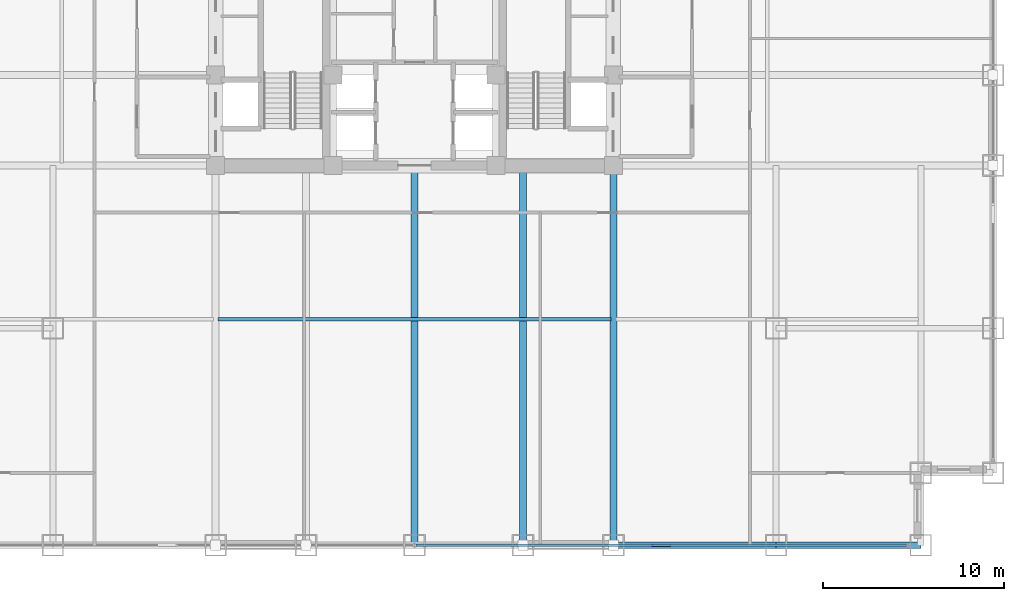
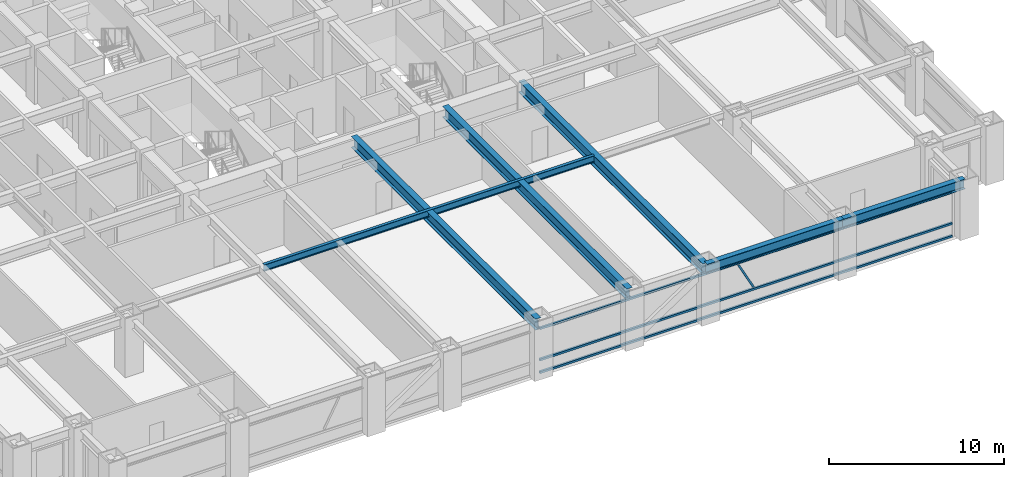
# One storey, part 5 of 27: 6 beams, 4 members, 1 element without a shape of its own.
"""IFC4 building model written with IfcOpenShell, lengths in metres."""

from ifc_helpers import new_model, si_unit, direction, frame, origin, origin_2d, place, context, subcontext, project, spatial, hollow_rectangle, i_section, extrude, source, transform, mapped, material, material_profile, profile_set, type_object, element, aggregate, save


model = new_model("IFC4")

# Units and contexts
model_context = context("Model", 3, precision=1e-05, world=origin(), true_north=direction((0.0, 1.0)))
body_context = subcontext(model_context, "Body", "Model", "MODEL_VIEW")
ifc_project = project(units=[si_unit("LENGTHUNIT", "METRE"), si_unit("AREAUNIT", "SQUARE_METRE"), si_unit("VOLUMEUNIT", "CUBIC_METRE"), si_unit("PLANEANGLEUNIT", "RADIAN"), si_unit("MASSUNIT", "GRAM", prefix="KILO")], contexts=[model_context])

# Site, building, storey
site_placement = place(None, origin())
site = spatial("IfcSite", under=ifc_project, at=site_placement, CompositionType="ELEMENT")
building_placement = place(site_placement, origin())
building = spatial("IfcBuilding", under=site, at=building_placement, Name="Khorayat Bourse Tower", CompositionType="ELEMENT")
storey_placement = place(building_placement, frame((0.0, 0.0, 111.89990234375)))
storey = spatial("IfcBuildingStorey", under=building, at=storey_placement, Name="L25", CompositionType="ELEMENT", Elevation=111.89990234375)

# Beams
ifc_material_1 = material(Name="Steel ASTM A992 Grade 50", Category="steel")
ifc_material_profile_1 = material_profile(ifc_material_1, i_section(OverallWidth=0.35498046875, OverallDepth=0.695068359375, WebThickness=0.015380859375, FlangeThickness=0.02490234375, FilletRadius=0.01806640625, at=origin_2d()), Name="W690X217")
ifc_profile_set_1 = profile_set([ifc_material_profile_1], Name="Steel ASTM A992 Grade 50")
beam_type_1 = type_object("IfcBeamType", Name="BM-SPAN-690", PredefinedType="SPANDREL", material=ifc_profile_set_1)
shared_shape_1 = source(origin(), body_context, "Body", "SweptSolid", [
    extrude(i_section(OverallWidth=0.35498046875, OverallDepth=0.695068359375, WebThickness=0.015380859375, FlangeThickness=0.02490234375, FilletRadius=0.01806640625, at=origin_2d()), origin(), (0.0, 0.0, 1.0), 9.0),
])
beam_1_placement = place(storey_placement, frame((11.0, -32.0, 3.49267578125), z_axis=(1.0, 0.0, 0.0), x_axis=(0.0, 1.0, 0.0)))
element("IfcBeam", 1, at=beam_1_placement, inside=storey, type_object=beam_type_1, Name="L25 BM-SPAN-690 BM-L25-SPN-030", PredefinedType="SPANDREL", context=body_context, shape_type="MappedRepresentation", body=[
    mapped(shared_shape_1, transform((0.0, 0.0, 0.0), scale=1.0)),
])
ifc_material_profile_2 = material_profile(ifc_material_1, i_section(OverallWidth=0.194091796875, OverallDepth=0.468994140625, WebThickness=0.0126953125, FlangeThickness=0.0205078125, FilletRadius=0.012939453125, at=origin_2d()), Name="W460X106")
ifc_profile_set_2 = profile_set([ifc_material_profile_2], Name="Steel ASTM A992 Grade 50")
beam_type_2 = type_object("IfcBeamType", Name="BM-JOIST-460", PredefinedType="JOIST", material=ifc_profile_set_2)
shared_shape_2 = source(origin(), body_context, "Body", "SweptSolid", [
    extrude(i_section(OverallWidth=0.194091796875, OverallDepth=0.468994140625, WebThickness=0.0126953125, FlangeThickness=0.0205078125, FilletRadius=0.012939453125, at=origin_2d()), origin(), (0.0, 0.0, 1.0), 21.740234375),
])
beam_2_placement = place(storey_placement, frame((-10.8701171875, -19.5, 3.605712890625), z_axis=(1.0, 0.0, 0.0), x_axis=(0.0, 1.0, 0.0)))
element("IfcBeam", 2, at=beam_2_placement, inside=storey, type_object=beam_type_2, Name="L25 BM-JOIST-460 BM-L25-JSTX-097", PredefinedType="JOIST", context=body_context, shape_type="MappedRepresentation", body=[
    mapped(shared_shape_2, transform((0.0, 0.0, 0.0), scale=1.0)),
])
shared_shape_3 = source(origin(), body_context, "Body", "SweptSolid", [
    extrude(i_section(OverallWidth=0.35498046875, OverallDepth=0.695068359375, WebThickness=0.015380859375, FlangeThickness=0.02490234375, FilletRadius=0.01806640625, at=origin_2d()), origin(), (0.0, 0.0, 1.0), 8.0),
])
beam_3_placement = place(storey_placement, frame((20.0, -32.0, 3.49267578125), z_axis=(1.0, 0.0, 0.0), x_axis=(0.0, 1.0, 0.0)))
element("IfcBeam", 3, at=beam_3_placement, inside=storey, type_object=beam_type_1, Name="L25 BM-SPAN-690 BM-L25-SPN-031", PredefinedType="SPANDREL", context=body_context, shape_type="MappedRepresentation", body=[
    mapped(shared_shape_3, transform((0.0, 0.0, 0.0), scale=1.0)),
])
ifc_material_profile_3 = material_profile(ifc_material_1, i_section(OverallWidth=0.381103515625, OverallDepth=0.77294921875, WebThickness=0.0166015625, FlangeThickness=0.027587890625, FilletRadius=0.01806640625, at=origin_2d()), Name="W760X257")
ifc_profile_set_3 = profile_set([ifc_material_profile_3], Name="Steel ASTM A992 Grade 50")
beam_type_3 = type_object("IfcBeamType", Name="BM-GIRD-760", PredefinedType="BEAM", material=ifc_profile_set_3)
shared_shape_4 = source(origin(), body_context, "Body", "SweptSolid", [
    extrude(i_section(OverallWidth=0.381103515625, OverallDepth=0.77294921875, WebThickness=0.0166015625, FlangeThickness=0.027587890625, FilletRadius=0.01806640625, at=origin_2d()), origin(), (0.0, 0.0, 1.0), 21.0),
])
for number, where, z_axis, x_axis, name in (
    (4, (0.0, -32.0, 3.45361328125), (0.0, 1.0, 0.0), (-1.0, 0.0, 0.0), "L25 BM-GIRD-760 BM-L25-RADY-069"),
    (5, (6.0, -32.0, 3.45361328125), (0.0, 1.0, 0.0), (-1.0, 0.0, 0.0), "L25 BM-GIRD-760 BM-L25-RADY-071"),
    (6, (11.0, -32.0, 3.45361328125), (0.0, 1.0, 0.0), (-1.0, 0.0, 0.0), "L25 BM-GIRD-760 BM-L25-RADY-073"),
):
    element("IfcBeam", number, at=place(storey_placement, frame(where, z_axis=z_axis, x_axis=x_axis)), inside=storey, type_object=beam_type_3, Name=name, PredefinedType="BEAM", context=body_context, shape_type="MappedRepresentation", body=[
        mapped(shared_shape_4, transform((0.0, 0.0, 0.0), scale=1.0)),
    ])

# Curtain wall, members
ifc_material_2 = material(Name="Aluminium EN AW-6063 T6", Category="aluminium")
curtain_wall_type = type_object("IfcCurtainWallType", Name="CW-SYS-02", PredefinedType="NOTDEFINED", material=ifc_material_2)
curtain_wall_placement = place(storey_placement, origin())
curtain_wall = element("IfcCurtainWall", 7, at=curtain_wall_placement, inside=storey, type_object=curtain_wall_type, Name="L25 Curtain Wall CW-L25-S1", PredefinedType="NOTDEFINED")
ifc_material_profile_4 = material_profile(ifc_material_2, hollow_rectangle(XDim=0.139892578125, YDim=0.139892578125, WallThickness=0.006103515625, at=origin_2d()), Name="ALU 140x140x6")
ifc_profile_set_4 = profile_set([ifc_material_profile_4], Name="Aluminium EN AW-6063 T6")
member_type_1 = type_object("IfcMemberType", Name="CWT-HORZ-140", PredefinedType="USERDEFINED", material=ifc_profile_set_4)
shared_shape_5 = source(origin(), body_context, "Body", "SweptSolid", [
    extrude(hollow_rectangle(XDim=0.139892578125, YDim=0.139892578125, WallThickness=0.006103515625, at=origin_2d()), origin(), (0.0, 0.0, 1.0), 27.139892578125),
])
member_1_placement = place(storey_placement, frame((0.070068359375, -32.0, 0.070068359375), z_axis=(1.0, 0.0, 0.0), x_axis=(0.0, 1.0, 0.0)))
member_1 = element("IfcMember", 8, at=member_1_placement, type_object=member_type_1, Name="CW-L25-S1 Horizontal Transom 2-1", ObjectType="TRANSOM", PredefinedType="USERDEFINED", context=body_context, shape_type="MappedRepresentation", body=[
    mapped(shared_shape_5, transform((0.0, 0.0, 0.0), scale=1.0)),
])
member_2_placement = place(storey_placement, frame((0.070068359375, -32.0, 0.9501953125), z_axis=(1.0, 0.0, 0.0), x_axis=(0.0, 1.0, 0.0)))
member_2 = element("IfcMember", 9, at=member_2_placement, type_object=member_type_1, Name="CW-L25-S1 Horizontal Transom 2-2", ObjectType="TRANSOM", PredefinedType="USERDEFINED", context=body_context, shape_type="MappedRepresentation", body=[
    mapped(shared_shape_5, transform((0.0, 0.0, 0.0), scale=1.0)),
])
member_3_placement = place(storey_placement, frame((0.070068359375, -32.0, 3.1201171875), z_axis=(1.0, 0.0, 0.0), x_axis=(0.0, 1.0, 0.0)))
member_3 = element("IfcMember", 10, at=member_3_placement, type_object=member_type_1, Name="CW-L25-S1 Horizontal Transom 2-3", ObjectType="TRANSOM", PredefinedType="USERDEFINED", context=body_context, shape_type="MappedRepresentation", body=[
    mapped(shared_shape_5, transform((0.0, 0.0, 0.0), scale=1.0)),
])
ifc_material_profile_5 = material_profile(ifc_material_2, hollow_rectangle(XDim=0.1201171875, YDim=0.1201171875, WallThickness=0.0048828125, at=origin_2d()), Name="ALU 120x120x5")
ifc_profile_set_5 = profile_set([ifc_material_profile_5], Name="Aluminium EN AW-6063 T6")
member_type_2 = type_object("IfcMemberType", Name="CWM-DIAG-120", PredefinedType="MULLION", material=ifc_profile_set_5)
shared_shape_6 = source(origin(), body_context, "Body", "SweptSolid", [
    extrude(hollow_rectangle(XDim=0.1201171875, YDim=0.1201171875, WallThickness=0.0048828125, at=origin_2d()), origin(), (0.0, 0.0, 1.0), 2.11328125),
])
member_4_placement = place(storey_placement, frame((14.132080078125, -32.0, 1.10009765625), z_axis=(-0.465694055905, 0.0, 0.884945787207), x_axis=(0.0, -1.0, 0.0)))
member_4 = element("IfcMember", 11, at=member_4_placement, type_object=member_type_2, Name="CW-L25-S1 Faceted Diagonal Mullion 2", PredefinedType="MULLION", context=body_context, shape_type="MappedRepresentation", body=[
    mapped(shared_shape_6, transform((0.0, 0.0, 0.0), scale=1.0)),
])
aggregate(curtain_wall, [member_1, member_2, member_3, member_4])

save(model, "model.ifc")
